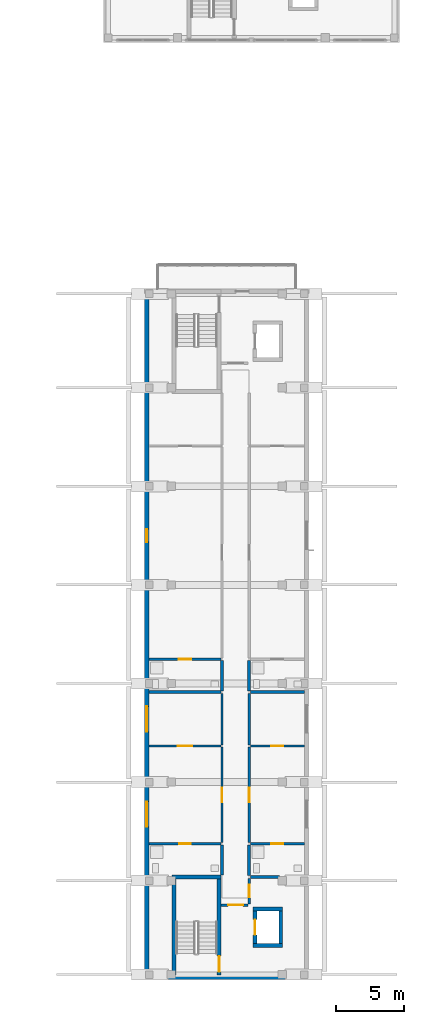
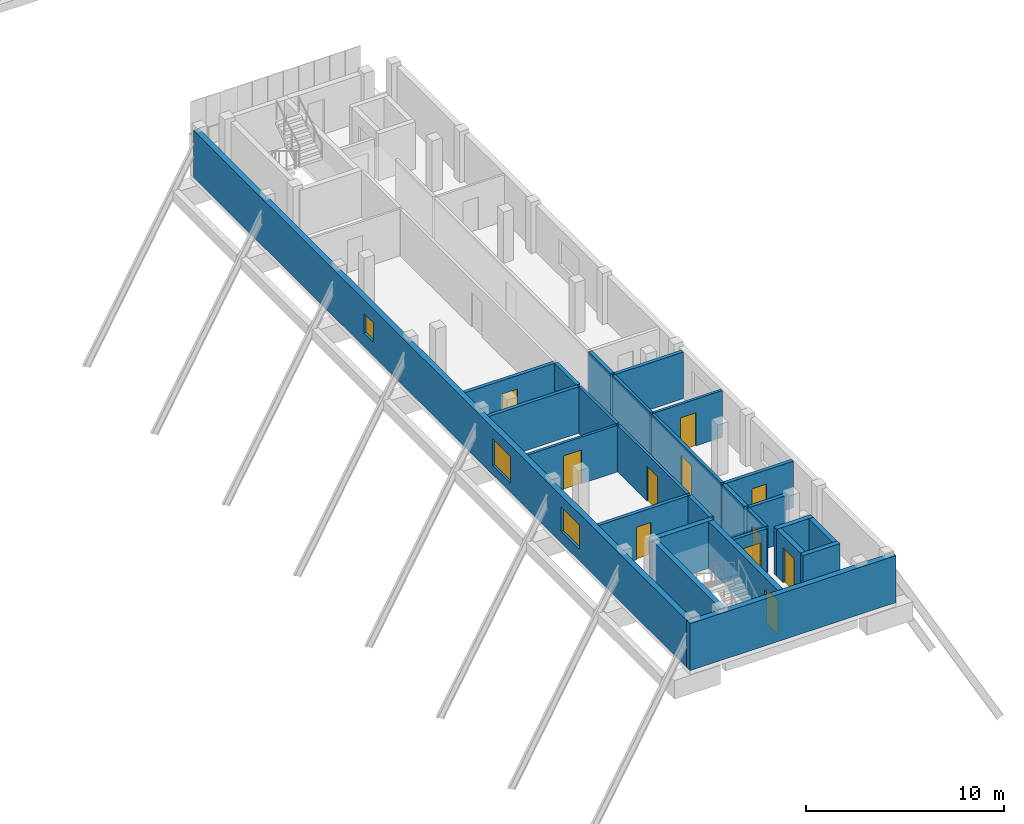
# One storey, part 17 of 34: 27 walls, 11 doors, 3 windows, 14 openings.
"""IFC4 building model written with IfcOpenShell, lengths in metres."""

from ifc_helpers import new_model, si_unit, derived_unit, direction, frame, frame_2d, origin, place, context, subcontext, project, spatial, rectangle, extrude, material, layer, layer_set, type_object, element, fill, save


model = new_model("IFC4")

# Units and contexts
model_context = context("Model", 3, precision=1e-05, world=origin(), true_north=direction((0.0, 1.0)))
body_context = subcontext(model_context, "Body", "Model", "MODEL_VIEW")
ifc_project = project(units=[si_unit("LENGTHUNIT", "METRE"), si_unit("AREAUNIT", "SQUARE_METRE"), si_unit("VOLUMEUNIT", "CUBIC_METRE"), si_unit("PLANEANGLEUNIT", "RADIAN"), si_unit("MASSUNIT", "GRAM", prefix="KILO"), derived_unit("THERMALTRANSMITTANCEUNIT", [(si_unit("MASSUNIT", "GRAM", prefix="KILO"), 1), (si_unit("TIMEUNIT", "SECOND"), -3), (si_unit("THERMODYNAMICTEMPERATUREUNIT", "KELVIN"), -1)])], contexts=[model_context])

# Site, building, storey
site_placement = place(None, origin())
site = spatial("IfcSite", under=ifc_project, at=site_placement, CompositionType="ELEMENT")
building_placement = place(site_placement, origin())
building = spatial("IfcBuilding", under=site, at=building_placement, Name="Ochrekiln Boulevard Commons", CompositionType="ELEMENT")
storey_placement = place(building_placement, frame((0.0, 0.0, 27.824951171875)))
storey = spatial("IfcBuildingStorey", under=building, at=storey_placement, Name="L08", CompositionType="ELEMENT", Elevation=27.824951171875)

# Wall
ifc_material_1 = material(Name="Desert ochre clinker brick masonry ASTM C216 Grade SW", Category="masonry")
ifc_layer_1 = layer(ifc_material_1, 0.330078125)
ifc_layer_set_1 = layer_set([ifc_layer_1], Name="Desert ochre clinker brick masonry ASTM C216 Grade SW")
wall_type_1 = type_object("IfcWallType", Name="WL-EXT-OCHRE-330", PredefinedType="SOLIDWALL", material=ifc_layer_set_1)
wall_1_placement = place(storey_placement, frame((154.199951171875, 0.1650390625, 0.0), z_axis=(0.0, 0.0, 1.0), x_axis=(1.0, 0.0, 0.0)))
element("IfcWall", 1, at=wall_1_placement, inside=storey, type_object=wall_type_1, Name="Block C L08 S Exterior Wall", PredefinedType="SOLIDWALL", context=body_context, shape_type="SweptSolid", body=[
    extrude(rectangle(XDim=12.0, YDim=0.330078125, at=frame_2d((6.0, 0.0))), origin(), (0.0, 0.0, 1.0), 2.89013671875),
])

# Wall, openings, windows
wall_2_placement = place(storey_placement, frame((154.364990234375, 0.330078125, 0.0), z_axis=(0.0, 0.0, 1.0), x_axis=(0.0, 1.0, 0.0)))
wall_2 = element("IfcWall", 2, at=wall_2_placement, inside=storey, type_object=wall_type_1, Name="Block C L08 W Exterior Wall", PredefinedType="SOLIDWALL", context=body_context, shape_type="SweptSolid", body=[
    extrude(rectangle(XDim=49.739990234375, YDim=0.330078125, at=frame_2d((24.8701171875, 0.0))), origin(), (0.0, 0.0, 1.0), 2.89013671875),
])
opening_1_placement = place(wall_2_placement, frame((10.800048828125, 0.0, 0.705078125)))
opening_1 = element("IfcOpeningElement", 3, at=opening_1_placement, cuts=wall_2, Name="Opening W-43", PredefinedType="OPENING", context=body_context, shape_type="SweptSolid", body=[
    extrude(rectangle(XDim=1.85009765625, YDim=1.5, at=frame_2d((0.925048828125, 0.75))), frame((0.0, 0.175048828125, 0.0), z_axis=(0.0, -1.0, 0.0), x_axis=(1.0, 0.0, 0.0)), (0.0, 0.0, 1.0), 0.35009765625),
])
opening_2_placement = place(wall_2_placement, frame((17.74609375, 0.0, 0.554931640625)))
opening_2 = element("IfcOpeningElement", 4, at=opening_2_placement, cuts=wall_2, Name="Opening W-44", PredefinedType="OPENING", context=body_context, shape_type="SweptSolid", body=[
    extrude(rectangle(XDim=1.85009765625, YDim=1.64990234375, at=frame_2d((0.925048828125, 0.824951171875))), frame((0.0, 0.175048828125, 0.0), z_axis=(0.0, -1.0, 0.0), x_axis=(1.0, 0.0, 0.0)), (0.0, 0.0, 1.0), 0.35009765625),
])
opening_3_placement = place(wall_2_placement, frame((31.594970703125, 0.0, 0.85009765625)))
opening_3 = element("IfcOpeningElement", 5, at=opening_3_placement, cuts=wall_2, Name="Opening W-01", PredefinedType="OPENING", context=body_context, shape_type="SweptSolid", body=[
    extrude(rectangle(XDim=0.949951171875, YDim=1.199951171875, at=frame_2d((0.47509765625, 0.60009765625))), frame((0.0, 0.175048828125, 0.0), z_axis=(0.0, -1.0, 0.0), x_axis=(1.0, 0.0, 0.0)), (0.0, 0.0, 1.0), 0.35009765625),
])
ifc_material_2 = material(Name="Thermally broken aluminium-clad oak frame", Category="aluminium")
window_type_1 = type_object("IfcWindowType", Name="WIN-EXT-01", PartitioningType="SINGLE_PANEL", PredefinedType="WINDOW", material=ifc_material_2)
window_1_placement = place(opening_3_placement, origin())
window_1 = element("IfcWindow", 6, at=window_1_placement, inside=storey, type_object=window_type_1, Name="Block C L08 Punched Masonry Window W-01", OverallHeight=1.199951171875, OverallWidth=0.949951171875, PartitioningType="SINGLE_PANEL", PredefinedType="WINDOW", context=body_context, shape_type="SweptSolid", body=[
    extrude(rectangle(XDim=0.949951171875, YDim=1.199951171875, at=frame_2d((0.47509765625, 0.60009765625))), frame((0.0, 0.030029296875, 0.0), z_axis=(0.0, -1.0, 0.0), x_axis=(1.0, 0.0, 0.0)), (0.0, 0.0, 1.0), 0.06005859375),
])
fill(opening_3, window_1)
window_type_2 = type_object("IfcWindowType", Name="WIN-EXT-43", PartitioningType="DOUBLE_PANEL_VERTICAL", PredefinedType="WINDOW", material=ifc_material_2)
window_2_placement = place(opening_1_placement, origin())
window_2 = element("IfcWindow", 7, at=window_2_placement, inside=storey, type_object=window_type_2, Name="Block C L08 Punched Masonry Window W-43", OverallHeight=1.5, OverallWidth=1.85009765625, PartitioningType="DOUBLE_PANEL_VERTICAL", PredefinedType="WINDOW", context=body_context, shape_type="SweptSolid", body=[
    extrude(rectangle(XDim=1.85009765625, YDim=1.5, at=frame_2d((0.925048828125, 0.75))), frame((0.0, 0.030029296875, 0.0), z_axis=(0.0, -1.0, 0.0), x_axis=(1.0, 0.0, 0.0)), (0.0, 0.0, 1.0), 0.06005859375),
])
fill(opening_1, window_2)
window_type_3 = type_object("IfcWindowType", Name="WIN-EXT-44", PartitioningType="DOUBLE_PANEL_VERTICAL", PredefinedType="WINDOW", material=ifc_material_2)
window_3_placement = place(opening_2_placement, origin())
window_3 = element("IfcWindow", 8, at=window_3_placement, inside=storey, type_object=window_type_3, Name="Block C L08 Punched Masonry Window W-44", OverallHeight=1.64990234375, OverallWidth=1.85009765625, PartitioningType="DOUBLE_PANEL_VERTICAL", PredefinedType="WINDOW", context=body_context, shape_type="SweptSolid", body=[
    extrude(rectangle(XDim=1.85009765625, YDim=1.64990234375, at=frame_2d((0.925048828125, 0.824951171875))), frame((0.0, 0.030029296875, 0.0), z_axis=(0.0, -1.0, 0.0), x_axis=(1.0, 0.0, 0.0)), (0.0, 0.0, 1.0), 0.06005859375),
])
fill(opening_2, window_3)

# Wall
ifc_material_3 = material(Name="Moisture-resistant cementitious tile backer wall")
ifc_layer_2 = layer(ifc_material_3, 0.199951171875)
ifc_layer_set_2 = layer_set([ifc_layer_2], Name="Moisture-resistant cementitious tile backer wall")
wall_type_2 = type_object("IfcWallType", Name="WL-PLM-200", PredefinedType="PLUMBINGWALL", material=ifc_layer_set_2)
wall_3_placement = place(storey_placement, frame((161.923095703125, 7.47509765625, 0.0), z_axis=(0.0, 0.0, 1.0), x_axis=(1.0, 0.0, 0.0)))
element("IfcWall", 9, at=wall_3_placement, inside=storey, type_object=wall_type_2, Name="L08 Interior Wall W-PW200", PredefinedType="PLUMBINGWALL", context=body_context, shape_type="SweptSolid", body=[
    extrude(rectangle(XDim=2.126953125, YDim=0.199951171875, at=frame_2d((1.0634765625, 0.0))), origin(), (0.0, 0.0, 1.0), 2.8701171875),
])

# Wall, opening, door
wall_4_placement = place(storey_placement, frame((154.530029296875, 9.89990234375, 0.0), z_axis=(0.0, 0.0, 1.0), x_axis=(1.0, 0.0, 0.0)))
wall_4 = element("IfcWall", 10, at=wall_4_placement, inside=storey, type_object=wall_type_2, Name="L08 Interior Wall W-PW200", PredefinedType="PLUMBINGWALL", context=body_context, shape_type="SweptSolid", body=[
    extrude(rectangle(XDim=5.248046875, YDim=0.199951171875, at=frame_2d((2.6240234375, 0.0))), origin(), (0.0, 0.0, 1.0), 2.8701171875),
])
opening_4_placement = place(wall_4_placement, frame((2.199951171875, 0.0, 0.0)))
opening_4 = element("IfcOpeningElement", 11, at=opening_4_placement, cuts=wall_4, Name="Opening D-L08-1067", PredefinedType="OPENING", context=body_context, shape_type="SweptSolid", body=[
    extrude(rectangle(XDim=0.860107421875, YDim=2.0, at=frame_2d((0.43017578125, 1.0))), frame((0.0, 0.10986328125, 0.0), z_axis=(0.0, -1.0, 0.0), x_axis=(1.0, 0.0, 0.0)), (0.0, 0.0, 1.0), 0.219970703125),
])
ifc_material_4 = material(Name="Solid core architectural oak door leaf")
door_type_1 = type_object("IfcDoorType", Name="DR-INT-BTH-086", OperationType="NOTDEFINED", PredefinedType="DOOR", material=ifc_material_4)
door_1_placement = place(opening_4_placement, frame((0.860107421875, 0.0, 0.0), z_axis=(0.0, 0.0, 1.0), x_axis=(-1.0, 0.0, 0.0)))
door_1 = element("IfcDoor", 12, at=door_1_placement, inside=storey, type_object=door_type_1, Name="L08 Interior Door to Loft Bathroom", OperationType="SINGLE_SWING_LEFT", OverallHeight=2.0, OverallWidth=0.860107421875, PredefinedType="DOOR", context=body_context, shape_type="SweptSolid", body=[
    extrude(rectangle(XDim=0.860107421875, YDim=2.0, at=frame_2d((0.43017578125, 1.0))), frame((0.0, 0.02490234375, 0.0), z_axis=(0.0, -1.0, 0.0), x_axis=(1.0, 0.0, 0.0)), (0.0, 0.0, 1.0), 0.050048828125),
])
fill(opening_4, door_1)

# Wall
wall_5_placement = place(storey_placement, frame((154.530029296875, 20.97607421875, 0.0), z_axis=(0.0, 0.0, 1.0), x_axis=(1.0, 0.0, 0.0)))
element("IfcWall", 13, at=wall_5_placement, inside=storey, type_object=wall_type_2, Name="L08 Interior Wall W-PW200", PredefinedType="PLUMBINGWALL", context=body_context, shape_type="SweptSolid", body=[
    extrude(rectangle(XDim=5.248046875, YDim=0.199951171875, at=frame_2d((2.6240234375, 0.0))), origin(), (0.0, 0.0, 1.0), 2.8701171875),
])

# Wall, opening, door
wall_6_placement = place(storey_placement, frame((154.530029296875, 23.365966796875, 0.0), z_axis=(0.0, 0.0, 1.0), x_axis=(1.0, 0.0, 0.0)))
wall_6 = element("IfcWall", 14, at=wall_6_placement, inside=storey, type_object=wall_type_2, Name="L08 Interior Wall W-PW200", PredefinedType="PLUMBINGWALL", context=body_context, shape_type="SweptSolid", body=[
    extrude(rectangle(XDim=5.248046875, YDim=0.199951171875, at=frame_2d((2.6240234375, 0.0))), origin(), (0.0, 0.0, 1.0), 2.8701171875),
])
opening_5_placement = place(wall_6_placement, frame((2.18505859375, 0.0, 0.0)))
opening_5 = element("IfcOpeningElement", 15, at=opening_5_placement, cuts=wall_6, Name="Opening D-L08-1069", PredefinedType="OPENING", context=body_context, shape_type="SweptSolid", body=[
    extrude(rectangle(XDim=0.889892578125, YDim=2.030029296875, at=frame_2d((0.44482421875, 1.01513671875))), frame((0.0, 0.10986328125, 0.0), z_axis=(0.0, -1.0, 0.0), x_axis=(1.0, 0.0, 0.0)), (0.0, 0.0, 1.0), 0.219970703125),
])
door_type_2 = type_object("IfcDoorType", Name="DR-INT-BTH-089", OperationType="NOTDEFINED", PredefinedType="DOOR", material=ifc_material_4)
door_2_placement = place(opening_5_placement, frame((0.889892578125, 0.0, 0.0), z_axis=(0.0, 0.0, 1.0), x_axis=(-1.0, 0.0, 0.0)))
door_2 = element("IfcDoor", 16, at=door_2_placement, inside=storey, type_object=door_type_2, Name="L08 Interior Door to Loft Bathroom", OperationType="SINGLE_SWING_LEFT", OverallHeight=2.030029296875, OverallWidth=0.889892578125, PredefinedType="DOOR", context=body_context, shape_type="SweptSolid", body=[
    extrude(rectangle(XDim=0.889892578125, YDim=2.030029296875, at=frame_2d((0.44482421875, 1.01513671875))), frame((0.0, 0.02490234375, 0.0), z_axis=(0.0, -1.0, 0.0), x_axis=(1.0, 0.0, 0.0)), (0.0, 0.0, 1.0), 0.050048828125),
])
fill(opening_5, door_2)

wall_7_placement = place(storey_placement, frame((161.923095703125, 9.89990234375, 0.0), z_axis=(0.0, 0.0, 1.0), x_axis=(1.0, 0.0, 0.0)))
wall_7 = element("IfcWall", 17, at=wall_7_placement, inside=storey, type_object=wall_type_2, Name="L08 Interior Wall W-PW200", PredefinedType="PLUMBINGWALL", context=body_context, shape_type="SweptSolid", body=[
    extrude(rectangle(XDim=3.947021484375, YDim=0.199951171875, at=frame_2d((1.9736328125, 0.0))), origin(), (0.0, 0.0, 1.0), 2.8701171875),
])
opening_6_placement = place(wall_7_placement, frame((1.537109375, 0.0, 0.0)))
opening_6 = element("IfcOpeningElement", 18, at=opening_6_placement, cuts=wall_7, Name="Opening D-L08-1071", PredefinedType="OPENING", context=body_context, shape_type="SweptSolid", body=[
    extrude(rectangle(XDim=0.860107421875, YDim=2.0, at=frame_2d((0.43017578125, 1.0))), frame((0.0, 0.10986328125, 0.0), z_axis=(0.0, -1.0, 0.0), x_axis=(1.0, 0.0, 0.0)), (0.0, 0.0, 1.0), 0.219970703125),
])
door_3_placement = place(opening_6_placement, frame((0.860107421875, 0.0, 0.0), z_axis=(0.0, 0.0, 1.0), x_axis=(-1.0, 0.0, 0.0)))
door_3 = element("IfcDoor", 19, at=door_3_placement, inside=storey, type_object=door_type_1, Name="L08 Interior Door to Loft Bathroom", OperationType="SINGLE_SWING_LEFT", OverallHeight=2.0, OverallWidth=0.860107421875, PredefinedType="DOOR", context=body_context, shape_type="SweptSolid", body=[
    extrude(rectangle(XDim=0.860107421875, YDim=2.0, at=frame_2d((0.43017578125, 1.0))), frame((0.0, 0.02490234375, 0.0), z_axis=(0.0, -1.0, 0.0), x_axis=(1.0, 0.0, 0.0)), (0.0, 0.0, 1.0), 0.050048828125),
])
fill(opening_6, door_3)

# Walls
wall_8_placement = place(storey_placement, frame((161.923095703125, 20.97607421875, 0.0), z_axis=(0.0, 0.0, 1.0), x_axis=(1.0, 0.0, 0.0)))
element("IfcWall", 20, at=wall_8_placement, inside=storey, type_object=wall_type_2, Name="L08 Interior Wall W-PW200", PredefinedType="PLUMBINGWALL", context=body_context, shape_type="SweptSolid", body=[
    extrude(rectangle(XDim=3.947021484375, YDim=0.199951171875, at=frame_2d((1.9736328125, 0.0))), origin(), (0.0, 0.0, 1.0), 2.8701171875),
])
ifc_layer_3 = layer(ifc_material_3, 0.219970703125)
ifc_layer_set_3 = layer_set([ifc_layer_3], Name="Moisture-resistant cementitious tile backer wall")
wall_type_3 = type_object("IfcWallType", Name="WL-PLM-220", PredefinedType="PLUMBINGWALL", material=ifc_layer_set_3)
for number, where, z_axis, x_axis, name in (
    (21, (159.860107421875, 7.60009765625, 0.0), (0.0, 0.0, 1.0), (0.0, 1.0, 0.0), "L08 Interior Wall W-PW220"),
    (22, (159.860107421875, 21.06591796875, 0.0), (0.0, 0.0, 1.0), (0.0, 1.0, 0.0), "L08 Interior Wall W-PW220"),
):
    element("IfcWall", number, at=place(storey_placement, frame(where, z_axis=z_axis, x_axis=x_axis)), inside=storey, type_object=wall_type_3, Name=name, PredefinedType="PLUMBINGWALL", context=body_context, shape_type="SweptSolid", body=[
        extrude(rectangle(XDim=2.219970703125, YDim=0.219970703125, at=frame_2d((1.10986328125, 0.0))), origin(), (0.0, 0.0, 1.0), 2.8701171875),
    ])
wall_9_placement = place(storey_placement, frame((161.840087890625, 7.574951171875, 0.0), z_axis=(0.0, 0.0, 1.0), x_axis=(0.0, 1.0, 0.0)))
element("IfcWall", 23, at=wall_9_placement, inside=storey, type_object=wall_type_3, Name="L08 Interior Wall W-PW220", PredefinedType="PLUMBINGWALL", context=body_context, shape_type="SweptSolid", body=[
    extrude(rectangle(XDim=2.2451171875, YDim=0.219970703125, at=frame_2d((1.12255859375, 0.0))), origin(), (0.0, 0.0, 1.0), 2.8701171875),
])
wall_10_placement = place(storey_placement, frame((161.840087890625, 21.06591796875, 0.0), z_axis=(0.0, 0.0, 1.0), x_axis=(0.0, 1.0, 0.0)))
element("IfcWall", 24, at=wall_10_placement, inside=storey, type_object=wall_type_3, Name="L08 Interior Wall W-PW220", PredefinedType="PLUMBINGWALL", context=body_context, shape_type="SweptSolid", body=[
    extrude(rectangle(XDim=2.219970703125, YDim=0.219970703125, at=frame_2d((1.10986328125, 0.0))), origin(), (0.0, 0.0, 1.0), 2.8701171875),
])

# Wall, opening, door
ifc_material_5 = material(Name="Fire-rated Type X gypsum board on steel studs", Category="steel")
ifc_layer_4 = layer(ifc_material_5, 0.1650390625)
ifc_layer_set_4 = layer_set([ifc_layer_4], Name="Fire-rated Type X gypsum board on steel studs")
wall_type_4 = type_object("IfcWallType", Name="WL-PT-CORR-165", PredefinedType="PARTITIONING", material=ifc_layer_set_4)
wall_11_placement = place(storey_placement, frame((161.840087890625, 5.514892578125, 0.0), z_axis=(0.0, 0.0, 1.0), x_axis=(0.0, 1.0, 0.0)))
wall_11 = element("IfcWall", 25, at=wall_11_placement, inside=storey, type_object=wall_type_4, Name="L08 Interior Wall W-PC165", PredefinedType="PARTITIONING", context=body_context, shape_type="SweptSolid", body=[
    extrude(rectangle(XDim=1.835205078125, YDim=0.1650390625, at=frame_2d((0.91748046875, 0.0))), origin(), (0.0, 0.0, 1.0), 2.8701171875),
])
opening_7_placement = place(wall_11_placement, frame((0.47509765625, 0.0, 0.0)))
opening_7 = element("IfcOpeningElement", 26, at=opening_7_placement, cuts=wall_11, Name="Opening D-L08-1062", PredefinedType="OPENING", context=body_context, shape_type="SweptSolid", body=[
    extrude(rectangle(XDim=0.919921875, YDim=2.0400390625, at=frame_2d((0.4599609375, 1.02001953125))), frame((0.0, 0.092529296875, 0.0), z_axis=(0.0, -1.0, 0.0), x_axis=(1.0, 0.0, 0.0)), (0.0, 0.0, 1.0), 0.18505859375),
])
ifc_material_6 = material(Name="Hollow metal fire-rated steel door assembly", Category="steel")
door_type_3 = type_object("IfcDoorType", Name="DR-SRV-90", OperationType="NOTDEFINED", PredefinedType="DOOR", material=ifc_material_6)
door_4_placement = place(opening_7_placement, frame((0.919921875, 0.0, 0.0), z_axis=(0.0, 0.0, 1.0), x_axis=(-1.0, 0.0, 0.0)))
door_4 = element("IfcDoor", 27, at=door_4_placement, inside=storey, type_object=door_type_3, Name="L08 Interior Door to Hydronic and Electrical Riser Room", OperationType="SINGLE_SWING_RIGHT", OverallHeight=2.0400390625, OverallWidth=0.919921875, PredefinedType="DOOR", context=body_context, shape_type="SweptSolid", body=[
    extrude(rectangle(XDim=0.919921875, YDim=2.0400390625, at=frame_2d((0.4599609375, 1.02001953125))), frame((0.0, 0.02490234375, 0.0), z_axis=(0.0, -1.0, 0.0), x_axis=(1.0, 0.0, 0.0)), (0.0, 0.0, 1.0), 0.050048828125),
])
fill(opening_7, door_4)

wall_12_placement = place(storey_placement, frame((159.860107421875, 9.97998046875, 0.0), z_axis=(0.0, 0.0, 1.0), x_axis=(0.0, 1.0, 0.0)))
wall_12 = element("IfcWall", 28, at=wall_12_placement, inside=storey, type_object=wall_type_4, Name="L08 Interior Wall W-PC165", PredefinedType="PARTITIONING", context=body_context, shape_type="SweptSolid", body=[
    extrude(rectangle(XDim=6.97607421875, YDim=0.1650390625, at=frame_2d((3.488037109375, 0.0))), origin(), (0.0, 0.0, 1.0), 2.8701171875),
])
opening_8_placement = place(wall_12_placement, frame((2.962890625, 0.0, 0.0)))
opening_8 = element("IfcOpeningElement", 29, at=opening_8_placement, cuts=wall_12, Name="Opening D-L08-1063", PredefinedType="OPENING", context=body_context, shape_type="SweptSolid", body=[
    extrude(rectangle(XDim=1.050048828125, YDim=2.1298828125, at=frame_2d((0.52490234375, 1.06494140625))), frame((0.0, 0.092529296875, 0.0), z_axis=(0.0, -1.0, 0.0), x_axis=(1.0, 0.0, 0.0)), (0.0, 0.0, 1.0), 0.18505859375),
])
door_type_4 = type_object("IfcDoorType", Name="DR-INT-APT-105", OperationType="NOTDEFINED", PredefinedType="DOOR", material=ifc_material_4)
door_5_placement = place(opening_8_placement, origin())
door_5 = element("IfcDoor", 30, at=door_5_placement, inside=storey, type_object=door_type_4, Name="L08 Interior Door to Loft Living Room", OperationType="SINGLE_SWING_LEFT", OverallHeight=2.1298828125, OverallWidth=1.050048828125, PredefinedType="DOOR", context=body_context, shape_type="SweptSolid", body=[
    extrude(rectangle(XDim=1.050048828125, YDim=2.1298828125, at=frame_2d((0.52490234375, 1.06494140625))), frame((0.0, 0.02490234375, 0.0), z_axis=(0.0, -1.0, 0.0), x_axis=(1.0, 0.0, 0.0)), (0.0, 0.0, 1.0), 0.050048828125),
])
fill(opening_8, door_5)

# Wall
wall_13_placement = place(storey_placement, frame((159.860107421875, 17.115966796875, 0.0), z_axis=(0.0, 0.0, 1.0), x_axis=(0.0, 1.0, 0.0)))
element("IfcWall", 31, at=wall_13_placement, inside=storey, type_object=wall_type_4, Name="L08 Interior Wall W-PC165", PredefinedType="PARTITIONING", context=body_context, shape_type="SweptSolid", body=[
    extrude(rectangle(XDim=3.77001953125, YDim=0.1650390625, at=frame_2d((1.885009765625, 0.0))), origin(), (0.0, 0.0, 1.0), 2.8701171875),
])

# Wall, opening, door
wall_14_placement = place(storey_placement, frame((161.840087890625, 9.97998046875, 0.0), z_axis=(0.0, 0.0, 1.0), x_axis=(0.0, 1.0, 0.0)))
wall_14 = element("IfcWall", 32, at=wall_14_placement, inside=storey, type_object=wall_type_4, Name="L08 Interior Wall W-PC165", PredefinedType="PARTITIONING", context=body_context, shape_type="SweptSolid", body=[
    extrude(rectangle(XDim=6.97607421875, YDim=0.1650390625, at=frame_2d((3.488037109375, 0.0))), origin(), (0.0, 0.0, 1.0), 2.8701171875),
])
opening_9_placement = place(wall_14_placement, frame((2.962890625, 0.0, 0.0)))
opening_9 = element("IfcOpeningElement", 33, at=opening_9_placement, cuts=wall_14, Name="Opening D-L08-1065", PredefinedType="OPENING", context=body_context, shape_type="SweptSolid", body=[
    extrude(rectangle(XDim=1.050048828125, YDim=2.1298828125, at=frame_2d((0.52490234375, 1.06494140625))), frame((0.0, 0.092529296875, 0.0), z_axis=(0.0, -1.0, 0.0), x_axis=(1.0, 0.0, 0.0)), (0.0, 0.0, 1.0), 0.18505859375),
])
door_6_placement = place(opening_9_placement, frame((1.050048828125, 0.0, 0.0), z_axis=(0.0, 0.0, 1.0), x_axis=(-1.0, 0.0, 0.0)))
door_6 = element("IfcDoor", 34, at=door_6_placement, inside=storey, type_object=door_type_4, Name="L08 Interior Door to Loft Living Room", OperationType="SINGLE_SWING_LEFT", OverallHeight=2.1298828125, OverallWidth=1.050048828125, PredefinedType="DOOR", context=body_context, shape_type="SweptSolid", body=[
    extrude(rectangle(XDim=1.050048828125, YDim=2.1298828125, at=frame_2d((0.52490234375, 1.06494140625))), frame((0.0, 0.02490234375, 0.0), z_axis=(0.0, -1.0, 0.0), x_axis=(1.0, 0.0, 0.0)), (0.0, 0.0, 1.0), 0.050048828125),
])
fill(opening_9, door_6)

# Wall
wall_15_placement = place(storey_placement, frame((161.840087890625, 17.115966796875, 0.0), z_axis=(0.0, 0.0, 1.0), x_axis=(0.0, 1.0, 0.0)))
element("IfcWall", 35, at=wall_15_placement, inside=storey, type_object=wall_type_4, Name="L08 Interior Wall W-PC165", PredefinedType="PARTITIONING", context=body_context, shape_type="SweptSolid", body=[
    extrude(rectangle(XDim=3.77001953125, YDim=0.1650390625, at=frame_2d((1.885009765625, 0.0))), origin(), (0.0, 0.0, 1.0), 2.8701171875),
])

# Wall, opening, door
ifc_layer_5 = layer(ifc_material_5, 0.18994140625)
ifc_layer_set_5 = layer_set([ifc_layer_5], Name="Fire-rated Type X gypsum board on steel studs")
wall_type_5 = type_object("IfcWallType", Name="WL-PT-LBY-190", PredefinedType="PARTITIONING", material=ifc_layer_set_5)
wall_16_placement = place(storey_placement, frame((159.800048828125, 5.419921875, 0.0), z_axis=(0.0, 0.0, 1.0), x_axis=(1.0, 0.0, 0.0)))
wall_16 = element("IfcWall", 36, at=wall_16_placement, inside=storey, type_object=wall_type_5, Name="L08 Interior Wall W-PL190", PredefinedType="PARTITIONING", context=body_context, shape_type="SweptSolid", body=[
    extrude(rectangle(XDim=1.949951171875, YDim=0.18994140625, at=frame_2d((0.97509765625, 0.0))), origin(), (0.0, 0.0, 1.0), 2.8701171875),
])
opening_10_placement = place(wall_16_placement, frame((0.5, 0.0, 0.0)))
opening_10 = element("IfcOpeningElement", 37, at=opening_10_placement, cuts=wall_16, Name="Opening D-L08-1060", PredefinedType="OPENING", context=body_context, shape_type="SweptSolid", body=[
    extrude(rectangle(XDim=1.10009765625, YDim=2.1201171875, at=frame_2d((0.550048828125, 1.06005859375))), frame((0.0, 0.10498046875, 0.0), z_axis=(0.0, -1.0, 0.0), x_axis=(1.0, 0.0, 0.0)), (0.0, 0.0, 1.0), 0.2099609375),
])
door_type_5 = type_object("IfcDoorType", Name="DR-LOBBY-60", OperationType="NOTDEFINED", PredefinedType="DOOR", material=ifc_material_6)
door_7_placement = place(opening_10_placement, frame((1.10009765625, 0.0, 0.0), z_axis=(0.0, 0.0, 1.0), x_axis=(-1.0, 0.0, 0.0)))
door_7 = element("IfcDoor", 38, at=door_7_placement, inside=storey, type_object=door_type_5, Name="L08 Interior Door to Passenger Elevator Lobby", OperationType="SINGLE_SWING_RIGHT", OverallHeight=2.1201171875, OverallWidth=1.10009765625, PredefinedType="DOOR", context=body_context, shape_type="SweptSolid", body=[
    extrude(rectangle(XDim=1.10009765625, YDim=2.1201171875, at=frame_2d((0.550048828125, 1.06005859375))), frame((0.0, 0.02490234375, 0.0), z_axis=(0.0, -1.0, 0.0), x_axis=(1.0, 0.0, 0.0)), (0.0, 0.0, 1.0), 0.050048828125),
])
fill(opening_10, door_7)

ifc_layer_6 = layer(ifc_material_5, 0.14990234375)
ifc_layer_set_6 = layer_set([ifc_layer_6], Name="Fire-rated Type X gypsum board on steel studs")
wall_type_6 = type_object("IfcWallType", Name="WL-PT-STD-150", PredefinedType="PARTITIONING", material=ifc_layer_set_6)
wall_17_placement = place(storey_placement, frame((154.530029296875, 17.035888671875, 0.0), z_axis=(0.0, 0.0, 1.0), x_axis=(1.0, 0.0, 0.0)))
wall_17 = element("IfcWall", 39, at=wall_17_placement, inside=storey, type_object=wall_type_6, Name="L08 Interior Wall W-PS150", PredefinedType="PARTITIONING", context=body_context, shape_type="SweptSolid", body=[
    extrude(rectangle(XDim=5.248046875, YDim=0.14990234375, at=frame_2d((2.6240234375, 0.0))), origin(), (0.0, 0.0, 1.0), 2.8701171875),
])
opening_11_placement = place(wall_17_placement, frame((2.110107421875, 0.0, 0.0)))
opening_11 = element("IfcOpeningElement", 40, at=opening_11_placement, cuts=wall_17, Name="Opening D-L08-1068", PredefinedType="OPENING", context=body_context, shape_type="SweptSolid", body=[
    extrude(rectangle(XDim=1.0400390625, YDim=2.080078125, at=frame_2d((0.52001953125, 1.0400390625))), frame((0.0, 0.0849609375, 0.0), z_axis=(0.0, -1.0, 0.0), x_axis=(1.0, 0.0, 0.0)), (0.0, 0.0, 1.0), 0.169921875),
])
door_type_6 = type_object("IfcDoorType", Name="DR-INT-BED-104", OperationType="NOTDEFINED", PredefinedType="DOOR", material=ifc_material_4)
door_8_placement = place(opening_11_placement, origin())
door_8 = element("IfcDoor", 41, at=door_8_placement, inside=storey, type_object=door_type_6, Name="L08 Interior Door to Loft Bedroom", OperationType="SINGLE_SWING_RIGHT", OverallHeight=2.080078125, OverallWidth=1.0400390625, PredefinedType="DOOR", context=body_context, shape_type="SweptSolid", body=[
    extrude(rectangle(XDim=1.0400390625, YDim=2.080078125, at=frame_2d((0.52001953125, 1.0400390625))), frame((0.0, 0.02490234375, 0.0), z_axis=(0.0, -1.0, 0.0), x_axis=(1.0, 0.0, 0.0)), (0.0, 0.0, 1.0), 0.050048828125),
])
fill(opening_11, door_8)

wall_18_placement = place(storey_placement, frame((161.923095703125, 17.035888671875, 0.0), z_axis=(0.0, 0.0, 1.0), x_axis=(1.0, 0.0, 0.0)))
wall_18 = element("IfcWall", 42, at=wall_18_placement, inside=storey, type_object=wall_type_6, Name="L08 Interior Wall W-PS150", PredefinedType="PARTITIONING", context=body_context, shape_type="SweptSolid", body=[
    extrude(rectangle(XDim=3.947021484375, YDim=0.14990234375, at=frame_2d((1.9736328125, 0.0))), origin(), (0.0, 0.0, 1.0), 2.8701171875),
])
opening_12_placement = place(wall_18_placement, frame((1.51708984375, 0.0, 0.0)))
opening_12 = element("IfcOpeningElement", 43, at=opening_12_placement, cuts=wall_18, Name="Opening D-L08-1072", PredefinedType="OPENING", context=body_context, shape_type="SweptSolid", body=[
    extrude(rectangle(XDim=0.89990234375, YDim=2.0400390625, at=frame_2d((0.449951171875, 1.02001953125))), frame((0.0, 0.0849609375, 0.0), z_axis=(0.0, -1.0, 0.0), x_axis=(1.0, 0.0, 0.0)), (0.0, 0.0, 1.0), 0.169921875),
])
door_type_7 = type_object("IfcDoorType", Name="DR-INT-BED-090", OperationType="NOTDEFINED", PredefinedType="DOOR", material=ifc_material_4)
door_9_placement = place(opening_12_placement, origin())
door_9 = element("IfcDoor", 44, at=door_9_placement, inside=storey, type_object=door_type_7, Name="L08 Interior Door to Loft Bedroom", OperationType="SINGLE_SWING_RIGHT", OverallHeight=2.0400390625, OverallWidth=0.89990234375, PredefinedType="DOOR", context=body_context, shape_type="SweptSolid", body=[
    extrude(rectangle(XDim=0.89990234375, YDim=2.0400390625, at=frame_2d((0.449951171875, 1.02001953125))), frame((0.0, 0.02490234375, 0.0), z_axis=(0.0, -1.0, 0.0), x_axis=(1.0, 0.0, 0.0)), (0.0, 0.0, 1.0), 0.050048828125),
])
fill(opening_12, door_9)

# Walls
ifc_material_7 = material(Name="Concrete C40/50", Category="concrete")
ifc_layer_7 = layer(ifc_material_7, 0.27490234375)
ifc_layer_set_7 = layer_set([ifc_layer_7], Name="Concrete C40/50")
wall_type_7 = type_object("IfcWallType", Name="WL-SH-275", PredefinedType="SHEAR", material=ifc_layer_set_7)
for number, where, z_axis, x_axis, name in (
    (45, (162.125, 2.46240234375, 0.0), (0.0, 0.0, 1.0), (1.0, 0.0, 0.0), "Elevator LP-C1 L08 Hoistway Shear Wall"),
    (46, (162.125, 5.137451171875, 0.0), (0.0, 0.0, 1.0), (1.0, 0.0, 0.0), "Elevator LP-C1 L08 Hoistway Shear Wall"),
):
    element("IfcWall", number, at=place(storey_placement, frame(where, z_axis=z_axis, x_axis=x_axis)), inside=storey, type_object=wall_type_7, Name=name, PredefinedType="SHEAR", context=body_context, shape_type="SweptSolid", body=[
        extrude(rectangle(XDim=2.14990234375, YDim=0.27490234375, at=frame_2d((1.074951171875, 0.0))), origin(), (0.0, 0.0, 1.0), 2.89013671875),
    ])

# Wall, opening, door
wall_19_placement = place(storey_placement, frame((162.262451171875, 2.60009765625, 0.0), z_axis=(0.0, 0.0, 1.0), x_axis=(0.0, 1.0, 0.0)))
wall_19 = element("IfcWall", 47, at=wall_19_placement, inside=storey, type_object=wall_type_7, Name="Elevator LP-C1 L08 Hoistway Shear Wall", PredefinedType="SHEAR", context=body_context, shape_type="SweptSolid", body=[
    extrude(rectangle(XDim=2.39990234375, YDim=0.27490234375, at=frame_2d((1.199951171875, 0.0))), origin(), (0.0, 0.0, 1.0), 2.89013671875),
])
opening_13_placement = place(wall_19_placement, frame((0.64990234375, 0.0, 0.0)))
opening_13 = element("IfcOpeningElement", 48, at=opening_13_placement, cuts=wall_19, Name="Opening LD-LP-C1-L08", PredefinedType="OPENING", context=body_context, shape_type="SweptSolid", body=[
    extrude(rectangle(XDim=1.10009765625, YDim=2.14990234375, at=frame_2d((0.550048828125, 1.074951171875))), frame((0.0, 0.1474609375, 0.0), z_axis=(0.0, -1.0, 0.0), x_axis=(1.0, 0.0, 0.0)), (0.0, 0.0, 1.0), 0.294921875),
])
ifc_material_8 = material(Name="Brushed stainless steel 316 elevator cab and doors", Category="steel")
door_type_8 = type_object("IfcDoorType", Name="DR-LIFT-LD90", OperationType="SLIDING_TO_LEFT", PredefinedType="DOOR", material=ifc_material_8)
door_10_placement = place(opening_13_placement, origin())
door_10 = element("IfcDoor", 49, at=door_10_placement, inside=storey, type_object=door_type_8, Name="Elevator LP-C1 L08 Sliding Landing Door LD-LP-C1-L08", OperationType="SLIDING_TO_LEFT", OverallHeight=2.14990234375, OverallWidth=1.10009765625, PredefinedType="DOOR", context=body_context, shape_type="SweptSolid", body=[
    extrude(rectangle(XDim=1.10009765625, YDim=2.14990234375, at=frame_2d((0.550048828125, 1.074951171875))), frame((0.0, 0.02490234375, 0.0), z_axis=(0.0, -1.0, 0.0), x_axis=(1.0, 0.0, 0.0)), (0.0, 0.0, 1.0), 0.050048828125),
])
fill(opening_13, door_10)

# Walls
wall_20_placement = place(storey_placement, frame((164.137451171875, 2.60009765625, 0.0), z_axis=(0.0, 0.0, 1.0), x_axis=(0.0, 1.0, 0.0)))
element("IfcWall", 50, at=wall_20_placement, inside=storey, type_object=wall_type_7, Name="Elevator LP-C1 L08 Hoistway Shear Wall", PredefinedType="SHEAR", context=body_context, shape_type="SweptSolid", body=[
    extrude(rectangle(XDim=2.39990234375, YDim=0.27490234375, at=frame_2d((1.199951171875, 0.0))), origin(), (0.0, 0.0, 1.0), 2.89013671875),
])
ifc_layer_8 = layer(ifc_material_7, 0.300048828125)
ifc_layer_set_8 = layer_set([ifc_layer_8], Name="Concrete C40/50")
wall_type_8 = type_object("IfcWallType", Name="WL-SH-300", PredefinedType="SHEAR", material=ifc_layer_set_8)
wall_21_placement = place(storey_placement, frame((156.199951171875, 7.469970703125, 0.0), z_axis=(0.0, 0.0, 1.0), x_axis=(1.0, 0.0, 0.0)))
element("IfcWall", 51, at=wall_21_placement, inside=storey, type_object=wall_type_8, Name="Stair ST-C1 L08 Core Shear Wall N", PredefinedType="SHEAR", context=body_context, shape_type="SweptSolid", body=[
    extrude(rectangle(XDim=3.60009765625, YDim=0.300048828125, at=frame_2d((1.800048828125, 0.0))), origin(), (0.0, 0.0, 1.0), 2.89013671875),
])
wall_22_placement = place(storey_placement, frame((156.35009765625, 0.320068359375, 0.0), z_axis=(0.0, 0.0, 1.0), x_axis=(0.0, 1.0, 0.0)))
element("IfcWall", 52, at=wall_22_placement, inside=storey, type_object=wall_type_8, Name="Stair ST-C1 L08 Core Shear Wall W", PredefinedType="SHEAR", context=body_context, shape_type="SweptSolid", body=[
    extrude(rectangle(XDim=7.0, YDim=0.300048828125, at=frame_2d((3.5, 0.0))), origin(), (0.0, 0.0, 1.0), 2.89013671875),
])

# Wall, opening, door
wall_23_placement = place(storey_placement, frame((159.64990234375, 0.320068359375, 0.0), z_axis=(0.0, 0.0, 1.0), x_axis=(0.0, 1.0, 0.0)))
wall_23 = element("IfcWall", 53, at=wall_23_placement, inside=storey, type_object=wall_type_8, Name="Stair ST-C1 L08 Core Shear Wall E", PredefinedType="SHEAR", context=body_context, shape_type="SweptSolid", body=[
    extrude(rectangle(XDim=7.0, YDim=0.300048828125, at=frame_2d((3.5, 0.0))), origin(), (0.0, 0.0, 1.0), 2.89013671875),
])
opening_14_placement = place(wall_23_placement, frame((0.22509765625, 0.0, 0.0)))
opening_14 = element("IfcOpeningElement", 54, at=opening_14_placement, cuts=wall_23, Name="Opening D-L08-ST-C1", PredefinedType="OPENING", context=body_context, shape_type="SweptSolid", body=[
    extrude(rectangle(XDim=1.14990234375, YDim=2.1201171875, at=frame_2d((0.574951171875, 1.06005859375))), frame((0.0, 0.159912109375, 0.0), z_axis=(0.0, -1.0, 0.0), x_axis=(1.0, 0.0, 0.0)), (0.0, 0.0, 1.0), 0.320068359375),
])
door_type_9 = type_object("IfcDoorType", Name="DR-STAIR-90", OperationType="NOTDEFINED", PredefinedType="DOOR", material=ifc_material_6)
door_11_placement = place(opening_14_placement, origin())
door_11 = element("IfcDoor", 55, at=door_11_placement, inside=storey, type_object=door_type_9, Name="Enclosed Exit Stair ST-C1 L08 Rated Door", OperationType="SINGLE_SWING_RIGHT", OverallHeight=2.1201171875, OverallWidth=1.14990234375, PredefinedType="DOOR", context=body_context, shape_type="SweptSolid", body=[
    extrude(rectangle(XDim=1.14990234375, YDim=2.1201171875, at=frame_2d((0.574951171875, 1.06005859375))), frame((0.0, 0.02490234375, 0.0), z_axis=(0.0, -1.0, 0.0), x_axis=(1.0, 0.0, 0.0)), (0.0, 0.0, 1.0), 0.050048828125),
])
fill(opening_14, door_11)

save(model, "model.ifc")
